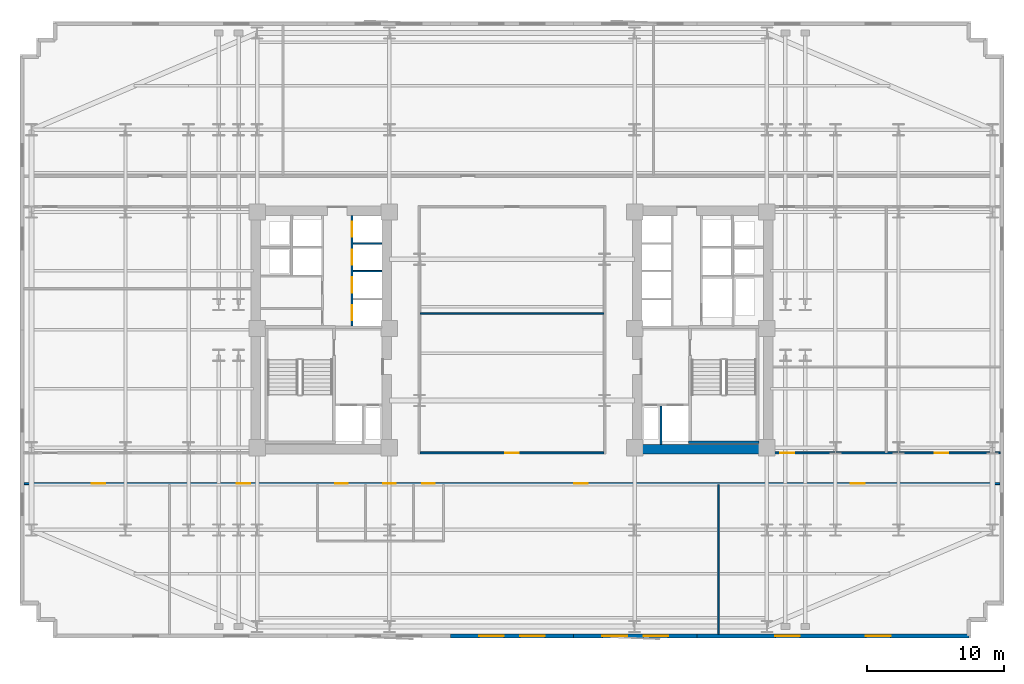
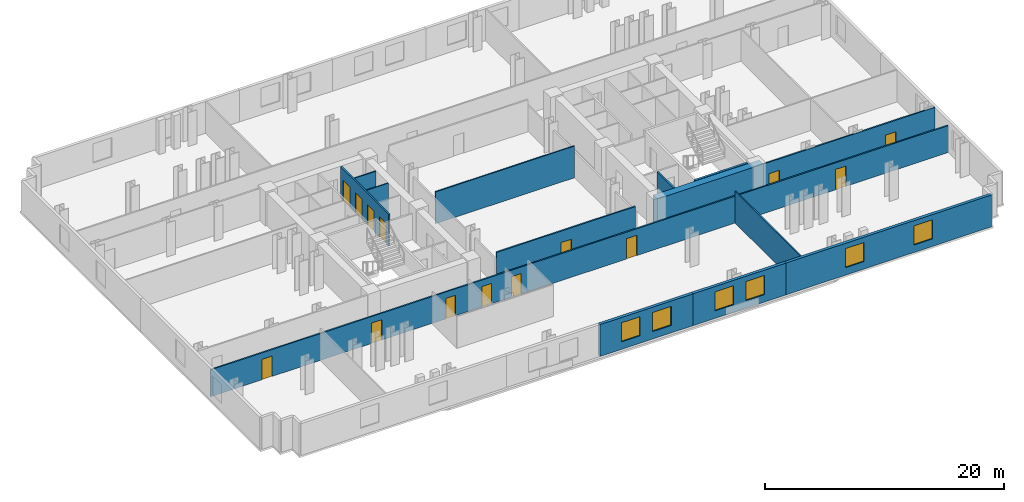
# One storey, part 5 of 10: 14 doors, 14 walls, 6 windows, 20 openings.
"""IFC4 building model written with IfcOpenShell, lengths in metres."""

from ifc_helpers import new_model, si_unit, direction, frame, frame_2d, origin, place, context, subcontext, project, spatial, rectangle, extrude, material, layer, layer_set, type_object, element, fill, save


model = new_model("IFC4")

# Units and contexts
model_context = context("Model", 3, precision=1e-05, world=origin(), true_north=direction((0.0, 1.0)))
body_context = subcontext(model_context, "Body", "Model", "MODEL_VIEW")
ifc_project = project(units=[si_unit("LENGTHUNIT", "METRE"), si_unit("AREAUNIT", "SQUARE_METRE"), si_unit("VOLUMEUNIT", "CUBIC_METRE"), si_unit("PLANEANGLEUNIT", "RADIAN"), si_unit("MASSUNIT", "GRAM", prefix="KILO")], contexts=[model_context])

# Site, building, storey
site_placement = place(None, origin())
site = spatial("IfcSite", under=ifc_project, at=site_placement, CompositionType="ELEMENT")
building_placement = place(site_placement, origin())
building = spatial("IfcBuilding", under=site, at=building_placement, Name="Velakula Bourse", CompositionType="ELEMENT")
storey_placement = place(building_placement, frame((0.0, 0.0, 38.10009765625)))
storey = spatial("IfcBuildingStorey", under=building, at=storey_placement, Name="L09", CompositionType="ELEMENT", Elevation=38.10009765625)

# Walls
ifc_material_1 = material(Name="Concrete M50 (fck 50 MPa)", Category="concrete")
ifc_layer_1 = layer(ifc_material_1, 0.2099609375, Name="Concrete M50 (fck 50 MPa)", Category="concrete")
ifc_layer_set_1 = layer_set([ifc_layer_1], Name="Concrete M50 (fck 50 MPa)")
wall_type_1 = type_object("IfcWallType", Name="WL-CORE-210", PredefinedType="SHEAR", material=ifc_layer_set_1)
wall_1_placement = place(storey_placement, frame((12.889892578125, -8.205078125, 0.0), z_axis=(0.0, 0.0, 1.0), x_axis=(1.0, 0.0, 0.0)))
element("IfcWall", 1, at=wall_1_placement, inside=storey, type_object=wall_type_1, Name="L09 Core E Stairwell Shear Wall S", PredefinedType="SHEAR", context=body_context, shape_type="SweptSolid", body=[
    extrude(rectangle(XDim=5.14013671875, YDim=0.2099609375, at=frame_2d((2.570068359375, 0.0))), origin(), (0.0, 0.0, 1.0), 3.27001953125),
])
ifc_material_2 = material(Name="Concrete M70 (fck 70 MPa)", Category="concrete")
ifc_layer_2 = layer(ifc_material_2, 0.699951171875, Name="Concrete M70 (fck 70 MPa)", Category="concrete")
ifc_layer_set_2 = layer_set([ifc_layer_2], Name="Concrete M70 (fck 70 MPa)")
wall_type_2 = type_object("IfcWallType", Name="WL-CORE-700", PredefinedType="SHEAR", material=ifc_layer_set_2)
wall_2_placement = place(storey_placement, frame((8.800048828125, -8.699951171875, 0.0), z_axis=(0.0, 0.0, 1.0), x_axis=(1.0, 0.0, 0.0)))
element("IfcWall", 2, at=wall_2_placement, inside=storey, type_object=wall_type_2, Name="L09 Core E Shear Wall S", PredefinedType="SHEAR", context=body_context, shape_type="SweptSolid", body=[
    extrude(rectangle(XDim=10.25, YDim=0.699951171875, at=frame_2d((5.125, 0.0))), origin(), (0.0, 0.0, 1.0), 3.27001953125),
])

# Wall, openings, windows
ifc_material_3 = material(Name="Red kilned clay facing brick masonry", Category="masonry")
ifc_layer_3 = layer(ifc_material_3, 0.280029296875, Name="Red kilned clay facing brick masonry", Category="masonry")
ifc_layer_set_3 = layer_set([ifc_layer_3], Name="Red kilned clay facing brick masonry")
wall_type_3 = type_object("IfcWallType", Name="WL-EXT-BRK-280", PredefinedType="STANDARD", material=ifc_layer_set_3)
wall_3_placement = place(storey_placement, frame((4.5, -22.340087890625, 0.0), z_axis=(0.0, 0.0, 1.0), x_axis=(-1.0, 0.0, 0.0)))
wall_3 = element("IfcWall", 3, at=wall_3_placement, inside=storey, type_object=wall_type_3, Name="L09 S Brick Spandrel Wall B3", PredefinedType="STANDARD", context=body_context, shape_type="SweptSolid", body=[
    extrude(rectangle(XDim=9.0, YDim=0.280029296875, at=frame_2d((4.5, 0.0))), origin(), (0.0, 0.0, 1.0), 3.25),
])
opening_1_placement = place(wall_3_placement, frame((2.10009765625, 0.0, 0.760009765625)))
opening_1 = element("IfcOpeningElement", 4, at=opening_1_placement, cuts=wall_3, Name="Opening W-01", PredefinedType="OPENING", context=body_context, shape_type="SweptSolid", body=[
    extrude(rectangle(XDim=1.800048828125, YDim=1.949951171875, at=frame_2d((0.89990234375, 0.97509765625))), frame((0.0, 0.14990234375, 0.0), z_axis=(0.0, -1.0, 0.0), x_axis=(1.0, 0.0, 0.0)), (0.0, 0.0, 1.0), 0.300048828125),
])
opening_2_placement = place(wall_3_placement, frame((5.10009765625, 0.0, 0.760009765625)))
opening_2 = element("IfcOpeningElement", 5, at=opening_2_placement, cuts=wall_3, Name="Opening W-01", PredefinedType="OPENING", context=body_context, shape_type="SweptSolid", body=[
    extrude(rectangle(XDim=1.800048828125, YDim=1.949951171875, at=frame_2d((0.89990234375, 0.97509765625))), frame((0.0, 0.14990234375, 0.0), z_axis=(0.0, -1.0, 0.0), x_axis=(1.0, 0.0, 0.0)), (0.0, 0.0, 1.0), 0.300048828125),
])
ifc_material_4 = material(Name="Double-glazed solar-control Low-E glass", Category="glass")
window_type = type_object("IfcWindowType", Name="WIN-TWR-1800x2100", PartitioningType="SINGLE_PANEL", PredefinedType="WINDOW", material=ifc_material_4)
window_1_placement = place(opening_1_placement, origin())
window_1 = element("IfcWindow", 6, at=window_1_placement, inside=storey, type_object=window_type, Name="L09 Deep-Set Recessed Window 1", OverallHeight=1.949951171875, OverallWidth=1.800048828125, PartitioningType="SINGLE_PANEL", PredefinedType="WINDOW", context=body_context, shape_type="SweptSolid", body=[
    extrude(rectangle(XDim=1.800048828125, YDim=1.949951171875, at=frame_2d((0.89990234375, 0.97509765625))), frame((0.0, 0.030029296875, 0.0), z_axis=(0.0, -1.0, 0.0), x_axis=(1.0, 0.0, 0.0)), (0.0, 0.0, 1.0), 0.06005859375),
])
fill(opening_1, window_1)
window_2_placement = place(opening_2_placement, origin())
window_2 = element("IfcWindow", 7, at=window_2_placement, inside=storey, type_object=window_type, Name="L09 Deep-Set Recessed Window 2", OverallHeight=1.949951171875, OverallWidth=1.800048828125, PartitioningType="SINGLE_PANEL", PredefinedType="WINDOW", context=body_context, shape_type="SweptSolid", body=[
    extrude(rectangle(XDim=1.800048828125, YDim=1.949951171875, at=frame_2d((0.89990234375, 0.97509765625))), frame((0.0, 0.030029296875, 0.0), z_axis=(0.0, -1.0, 0.0), x_axis=(1.0, 0.0, 0.0)), (0.0, 0.0, 1.0), 0.06005859375),
])
fill(opening_2, window_2)

wall_4_placement = place(storey_placement, frame((13.5, -22.340087890625, 0.0), z_axis=(0.0, 0.0, 1.0), x_axis=(-1.0, 0.0, 0.0)))
wall_4 = element("IfcWall", 8, at=wall_4_placement, inside=storey, type_object=wall_type_3, Name="L09 S Brick Spandrel Wall B4", PredefinedType="STANDARD", context=body_context, shape_type="SweptSolid", body=[
    extrude(rectangle(XDim=9.0, YDim=0.280029296875, at=frame_2d((4.5, 0.0))), origin(), (0.0, 0.0, 1.0), 3.25),
])
opening_3_placement = place(wall_4_placement, frame((2.10009765625, 0.0, 0.760009765625)))
opening_3 = element("IfcOpeningElement", 9, at=opening_3_placement, cuts=wall_4, Name="Opening W-01", PredefinedType="OPENING", context=body_context, shape_type="SweptSolid", body=[
    extrude(rectangle(XDim=1.800048828125, YDim=1.949951171875, at=frame_2d((0.89990234375, 0.97509765625))), frame((0.0, 0.14990234375, 0.0), z_axis=(0.0, -1.0, 0.0), x_axis=(1.0, 0.0, 0.0)), (0.0, 0.0, 1.0), 0.300048828125),
])
opening_4_placement = place(wall_4_placement, frame((5.10009765625, 0.0, 0.760009765625)))
opening_4 = element("IfcOpeningElement", 10, at=opening_4_placement, cuts=wall_4, Name="Opening W-01", PredefinedType="OPENING", context=body_context, shape_type="SweptSolid", body=[
    extrude(rectangle(XDim=1.800048828125, YDim=1.949951171875, at=frame_2d((0.89990234375, 0.97509765625))), frame((0.0, 0.14990234375, 0.0), z_axis=(0.0, -1.0, 0.0), x_axis=(1.0, 0.0, 0.0)), (0.0, 0.0, 1.0), 0.300048828125),
])
window_3_placement = place(opening_3_placement, origin())
window_3 = element("IfcWindow", 11, at=window_3_placement, inside=storey, type_object=window_type, Name="L09 Deep-Set Recessed Window 1", OverallHeight=1.949951171875, OverallWidth=1.800048828125, PartitioningType="SINGLE_PANEL", PredefinedType="WINDOW", context=body_context, shape_type="SweptSolid", body=[
    extrude(rectangle(XDim=1.800048828125, YDim=1.949951171875, at=frame_2d((0.89990234375, 0.97509765625))), frame((0.0, 0.030029296875, 0.0), z_axis=(0.0, -1.0, 0.0), x_axis=(1.0, 0.0, 0.0)), (0.0, 0.0, 1.0), 0.06005859375),
])
fill(opening_3, window_3)
window_4_placement = place(opening_4_placement, origin())
window_4 = element("IfcWindow", 12, at=window_4_placement, inside=storey, type_object=window_type, Name="L09 Deep-Set Recessed Window 2", OverallHeight=1.949951171875, OverallWidth=1.800048828125, PartitioningType="SINGLE_PANEL", PredefinedType="WINDOW", context=body_context, shape_type="SweptSolid", body=[
    extrude(rectangle(XDim=1.800048828125, YDim=1.949951171875, at=frame_2d((0.89990234375, 0.97509765625))), frame((0.0, 0.030029296875, 0.0), z_axis=(0.0, -1.0, 0.0), x_axis=(1.0, 0.0, 0.0)), (0.0, 0.0, 1.0), 0.06005859375),
])
fill(opening_4, window_4)

wall_5_placement = place(storey_placement, frame((33.340087890625, -22.340087890625, 0.0), z_axis=(0.0, 0.0, 1.0), x_axis=(-1.0, 0.0, 0.0)))
wall_5 = element("IfcWall", 13, at=wall_5_placement, inside=storey, type_object=wall_type_3, Name="L09 S Brick Spandrel Wall B5", PredefinedType="STANDARD", context=body_context, shape_type="SweptSolid", body=[
    extrude(rectangle(XDim=19.840087890625, YDim=0.280029296875, at=frame_2d((9.919921875, 0.0))), origin(), (0.0, 0.0, 1.0), 3.25),
])
opening_5_placement = place(wall_5_placement, frame((5.71337890625, 0.0, 0.760009765625)))
opening_5 = element("IfcOpeningElement", 14, at=opening_5_placement, cuts=wall_5, Name="Opening W-01", PredefinedType="OPENING", context=body_context, shape_type="SweptSolid", body=[
    extrude(rectangle(XDim=1.800048828125, YDim=1.949951171875, at=frame_2d((0.89990234375, 0.97509765625))), frame((0.0, 0.14990234375, 0.0), z_axis=(0.0, -1.0, 0.0), x_axis=(1.0, 0.0, 0.0)), (0.0, 0.0, 1.0), 0.300048828125),
])
opening_6_placement = place(wall_5_placement, frame((12.32666015625, 0.0, 0.760009765625)))
opening_6 = element("IfcOpeningElement", 15, at=opening_6_placement, cuts=wall_5, Name="Opening W-01", PredefinedType="OPENING", context=body_context, shape_type="SweptSolid", body=[
    extrude(rectangle(XDim=1.800048828125, YDim=1.949951171875, at=frame_2d((0.89990234375, 0.97509765625))), frame((0.0, 0.14990234375, 0.0), z_axis=(0.0, -1.0, 0.0), x_axis=(1.0, 0.0, 0.0)), (0.0, 0.0, 1.0), 0.300048828125),
])
window_5_placement = place(opening_5_placement, origin())
window_5 = element("IfcWindow", 16, at=window_5_placement, inside=storey, type_object=window_type, Name="L09 Deep-Set Recessed Window 1", OverallHeight=1.949951171875, OverallWidth=1.800048828125, PartitioningType="SINGLE_PANEL", PredefinedType="WINDOW", context=body_context, shape_type="SweptSolid", body=[
    extrude(rectangle(XDim=1.800048828125, YDim=1.949951171875, at=frame_2d((0.89990234375, 0.97509765625))), frame((0.0, 0.030029296875, 0.0), z_axis=(0.0, -1.0, 0.0), x_axis=(1.0, 0.0, 0.0)), (0.0, 0.0, 1.0), 0.06005859375),
])
fill(opening_5, window_5)
window_6_placement = place(opening_6_placement, origin())
window_6 = element("IfcWindow", 17, at=window_6_placement, inside=storey, type_object=window_type, Name="L09 Deep-Set Recessed Window 2", OverallHeight=1.949951171875, OverallWidth=1.800048828125, PartitioningType="SINGLE_PANEL", PredefinedType="WINDOW", context=body_context, shape_type="SweptSolid", body=[
    extrude(rectangle(XDim=1.800048828125, YDim=1.949951171875, at=frame_2d((0.89990234375, 0.97509765625))), frame((0.0, 0.030029296875, 0.0), z_axis=(0.0, -1.0, 0.0), x_axis=(1.0, 0.0, 0.0)), (0.0, 0.0, 1.0), 0.06005859375),
])
fill(opening_6, window_6)

# Walls
ifc_material_5 = material(Name="Fire-rated double-layer gypsum drywall partition", Category="gypsum")
ifc_layer_4 = layer(ifc_material_5, 0.1201171875, Name="Fire-rated double-layer gypsum drywall partition", Category="gypsum")
ifc_layer_set_4 = layer_set([ifc_layer_4], Name="Fire-rated double-layer gypsum drywall partition")
wall_type_4 = type_object("IfcWallType", Name="WL-PART-120", PredefinedType="STANDARD", material=ifc_layer_set_4)
for number, where, z_axis, x_axis, name in (
    (18, (-11.60009765625, 4.284912109375, 0.0), (0.0, 0.0, 1.0), (1.0, 0.0, 0.0), "L09 Interior Partition WL-CRW-L09-BDIV-1"),
    (19, (-11.60009765625, 6.31494140625, 0.0), (0.0, 0.0, 1.0), (1.0, 0.0, 0.0), "L09 Interior Partition WL-CRW-L09-BDIV-2"),
):
    element("IfcWall", number, at=place(storey_placement, frame(where, z_axis=z_axis, x_axis=x_axis)), inside=storey, type_object=wall_type_4, Name=name, PredefinedType="STANDARD", context=body_context, shape_type="SweptSolid", body=[
        extrude(rectangle(XDim=2.10009765625, YDim=0.110107421875, at=frame_2d((1.050048828125, 0.0))), origin(), (0.0, 0.0, 1.0), 3.25),
    ])
wall_6_placement = place(storey_placement, frame((15.076904296875, -22.219970703125, 0.0), z_axis=(0.0, 0.0, 1.0), x_axis=(0.0, 1.0, 0.0)))
element("IfcWall", 20, at=wall_6_placement, inside=storey, type_object=wall_type_4, Name="L09 Interior Partition WL-INT-L09-SR-D6", PredefinedType="STANDARD", context=body_context, shape_type="SweptSolid", body=[
    extrude(rectangle(XDim=10.929931640625, YDim=0.1201171875, at=frame_2d((5.46484375, 0.0))), origin(), (0.0, 0.0, 1.0), 3.25),
])

# Wall, openings, doors
ifc_layer_5 = layer(ifc_material_5, 0.139892578125, Name="Fire-rated double-layer gypsum drywall partition", Category="gypsum")
ifc_layer_set_5 = layer_set([ifc_layer_5], Name="Fire-rated double-layer gypsum drywall partition")
wall_type_5 = type_object("IfcWallType", Name="WL-PART-140", PredefinedType="STANDARD", material=ifc_layer_set_5)
wall_7_placement = place(storey_placement, frame((-35.6201171875, -11.219970703125, 0.0), z_axis=(0.0, 0.0, 1.0), x_axis=(1.0, 0.0, 0.0)))
wall_7 = element("IfcWall", 21, at=wall_7_placement, inside=storey, type_object=wall_type_5, Name="L09 Interior Partition WL-INT-L09-S-CORR", PredefinedType="STANDARD", context=body_context, shape_type="SweptSolid", body=[
    extrude(rectangle(XDim=71.240234375, YDim=0.139892578125, at=frame_2d((35.6201171875, 0.0))), origin(), (0.0, 0.0, 1.0), 2.744873046875),
])
opening_7_placement = place(wall_7_placement, frame((22.7099609375, 0.0, 0.0)))
opening_7 = element("IfcOpeningElement", 22, at=opening_7_placement, cuts=wall_7, Name="Opening D-WT1", PredefinedType="OPENING", context=body_context, shape_type="SweptSolid", body=[
    extrude(rectangle(XDim=0.919921875, YDim=2.080078125, at=frame_2d((0.4599609375, 1.0400390625))), frame((0.0, 0.079833984375, 0.0), z_axis=(0.0, -1.0, 0.0), x_axis=(1.0, 0.0, 0.0)), (0.0, 0.0, 1.0), 0.159912109375),
])
opening_8_placement = place(wall_7_placement, frame((26.2099609375, 0.0, 0.0)))
opening_8 = element("IfcOpeningElement", 23, at=opening_8_placement, cuts=wall_7, Name="Opening D-WT1", PredefinedType="OPENING", context=body_context, shape_type="SweptSolid", body=[
    extrude(rectangle(XDim=0.919921875, YDim=2.080078125, at=frame_2d((0.4599609375, 1.0400390625))), frame((0.0, 0.079833984375, 0.0), z_axis=(0.0, -1.0, 0.0), x_axis=(1.0, 0.0, 0.0)), (0.0, 0.0, 1.0), 0.159912109375),
])
opening_9_placement = place(wall_7_placement, frame((29.06005859375, 0.0, 0.0)))
opening_9 = element("IfcOpeningElement", 24, at=opening_9_placement, cuts=wall_7, Name="Opening D-WC1", PredefinedType="OPENING", context=body_context, shape_type="SweptSolid", body=[
    extrude(rectangle(XDim=0.919921875, YDim=2.080078125, at=frame_2d((0.4599609375, 1.0400390625))), frame((0.0, 0.079833984375, 0.0), z_axis=(0.0, -1.0, 0.0), x_axis=(1.0, 0.0, 0.0)), (0.0, 0.0, 1.0), 0.159912109375),
])
opening_10_placement = place(wall_7_placement, frame((4.9423828125, 0.0, 0.0)))
opening_10 = element("IfcOpeningElement", 25, at=opening_10_placement, cuts=wall_7, Name="Opening D-OF1", PredefinedType="OPENING", context=body_context, shape_type="SweptSolid", body=[
    extrude(rectangle(XDim=1.0, YDim=2.080078125, at=frame_2d((0.5, 1.0400390625))), frame((0.0, 0.079833984375, 0.0), z_axis=(0.0, -1.0, 0.0), x_axis=(1.0, 0.0, 0.0)), (0.0, 0.0, 1.0), 0.159912109375),
])
opening_11_placement = place(wall_7_placement, frame((15.526611328125, 0.0, 0.0)))
opening_11 = element("IfcOpeningElement", 26, at=opening_11_placement, cuts=wall_7, Name="Opening D-OF1", PredefinedType="OPENING", context=body_context, shape_type="SweptSolid", body=[
    extrude(rectangle(XDim=1.0, YDim=2.080078125, at=frame_2d((0.5, 1.0400390625))), frame((0.0, 0.079833984375, 0.0), z_axis=(0.0, -1.0, 0.0), x_axis=(1.0, 0.0, 0.0)), (0.0, 0.0, 1.0), 0.159912109375),
])
opening_12_placement = place(wall_7_placement, frame((40.158447265625, 0.0, 0.0)))
opening_12 = element("IfcOpeningElement", 27, at=opening_12_placement, cuts=wall_7, Name="Opening D-OF1", PredefinedType="OPENING", context=body_context, shape_type="SweptSolid", body=[
    extrude(rectangle(XDim=1.0, YDim=2.080078125, at=frame_2d((0.5, 1.0400390625))), frame((0.0, 0.079833984375, 0.0), z_axis=(0.0, -1.0, 0.0), x_axis=(1.0, 0.0, 0.0)), (0.0, 0.0, 1.0), 0.159912109375),
])
opening_13_placement = place(wall_7_placement, frame((60.342529296875, 0.0, 0.0)))
opening_13 = element("IfcOpeningElement", 28, at=opening_13_placement, cuts=wall_7, Name="Opening D-OF1", PredefinedType="OPENING", context=body_context, shape_type="SweptSolid", body=[
    extrude(rectangle(XDim=1.0, YDim=2.080078125, at=frame_2d((0.5, 1.0400390625))), frame((0.0, 0.079833984375, 0.0), z_axis=(0.0, -1.0, 0.0), x_axis=(1.0, 0.0, 0.0)), (0.0, 0.0, 1.0), 0.159912109375),
])
ifc_material_6 = material(Name="Fire-rated hardwood flush architectural door", Category="wood")
door_type_1 = type_object("IfcDoorType", Name="DR-OFF-1000", OperationType="NOTDEFINED", PredefinedType="DOOR", material=ifc_material_6)
door_1_placement = place(opening_10_placement, origin())
door_1 = element("IfcDoor", 29, at=door_1_placement, inside=storey, type_object=door_type_1, Name="L09 Quiet Financial Library Door", OperationType="SINGLE_SWING_LEFT", OverallHeight=2.080078125, OverallWidth=1.0, PredefinedType="DOOR", context=body_context, shape_type="SweptSolid", body=[
    extrude(rectangle(XDim=1.0, YDim=2.080078125, at=frame_2d((0.5, 1.0400390625))), frame((0.0, 0.02490234375, 0.0), z_axis=(0.0, -1.0, 0.0), x_axis=(1.0, 0.0, 0.0)), (0.0, 0.0, 1.0), 0.050048828125),
])
fill(opening_10, door_1)
door_2_placement = place(opening_11_placement, origin())
door_2 = element("IfcDoor", 30, at=door_2_placement, inside=storey, type_object=door_type_1, Name="L09 Margin Control Office Door", OperationType="SINGLE_SWING_RIGHT", OverallHeight=2.080078125, OverallWidth=1.0, PredefinedType="DOOR", context=body_context, shape_type="SweptSolid", body=[
    extrude(rectangle(XDim=1.0, YDim=2.080078125, at=frame_2d((0.5, 1.0400390625))), frame((0.0, 0.02490234375, 0.0), z_axis=(0.0, -1.0, 0.0), x_axis=(1.0, 0.0, 0.0)), (0.0, 0.0, 1.0), 0.050048828125),
])
fill(opening_11, door_2)
door_3_placement = place(opening_12_placement, origin())
door_3 = element("IfcDoor", 31, at=door_3_placement, inside=storey, type_object=door_type_1, Name="L09 Risk Review Boardroom Door", OperationType="SINGLE_SWING_LEFT", OverallHeight=2.080078125, OverallWidth=1.0, PredefinedType="DOOR", context=body_context, shape_type="SweptSolid", body=[
    extrude(rectangle(XDim=1.0, YDim=2.080078125, at=frame_2d((0.5, 1.0400390625))), frame((0.0, 0.02490234375, 0.0), z_axis=(0.0, -1.0, 0.0), x_axis=(1.0, 0.0, 0.0)), (0.0, 0.0, 1.0), 0.050048828125),
])
fill(opening_12, door_3)
door_4_placement = place(opening_13_placement, origin())
door_4 = element("IfcDoor", 32, at=door_4_placement, inside=storey, type_object=door_type_1, Name="L09 Catering Servery Pantry Door", OperationType="SINGLE_SWING_RIGHT", OverallHeight=2.080078125, OverallWidth=1.0, PredefinedType="DOOR", context=body_context, shape_type="SweptSolid", body=[
    extrude(rectangle(XDim=1.0, YDim=2.080078125, at=frame_2d((0.5, 1.0400390625))), frame((0.0, 0.02490234375, 0.0), z_axis=(0.0, -1.0, 0.0), x_axis=(1.0, 0.0, 0.0)), (0.0, 0.0, 1.0), 0.050048828125),
])
fill(opening_13, door_4)
door_type_2 = type_object("IfcDoorType", Name="DR-WC-950", OperationType="NOTDEFINED", PredefinedType="DOOR", material=ifc_material_6)
door_5_placement = place(opening_7_placement, origin())
door_5 = element("IfcDoor", 33, at=door_5_placement, inside=storey, type_object=door_type_2, Name="L09 Male Staff Toilet Door", OperationType="SINGLE_SWING_RIGHT", OverallHeight=2.080078125, OverallWidth=0.919921875, PredefinedType="DOOR", context=body_context, shape_type="SweptSolid", body=[
    extrude(rectangle(XDim=0.919921875, YDim=2.080078125, at=frame_2d((0.4599609375, 1.0400390625))), frame((0.0, 0.02490234375, 0.0), z_axis=(0.0, -1.0, 0.0), x_axis=(1.0, 0.0, 0.0)), (0.0, 0.0, 1.0), 0.050048828125),
])
fill(opening_7, door_5)
door_6_placement = place(opening_8_placement, origin())
door_6 = element("IfcDoor", 34, at=door_6_placement, inside=storey, type_object=door_type_2, Name="L09 Female Staff Toilet Door", OperationType="SINGLE_SWING_LEFT", OverallHeight=2.080078125, OverallWidth=0.919921875, PredefinedType="DOOR", context=body_context, shape_type="SweptSolid", body=[
    extrude(rectangle(XDim=0.919921875, YDim=2.080078125, at=frame_2d((0.4599609375, 1.0400390625))), frame((0.0, 0.02490234375, 0.0), z_axis=(0.0, -1.0, 0.0), x_axis=(1.0, 0.0, 0.0)), (0.0, 0.0, 1.0), 0.050048828125),
])
fill(opening_8, door_6)
door_7_placement = place(opening_9_placement, origin())
door_7 = element("IfcDoor", 35, at=door_7_placement, inside=storey, type_object=door_type_2, Name="L09 Accessible WC Door", OperationType="SINGLE_SWING_RIGHT", OverallHeight=2.080078125, OverallWidth=0.919921875, PredefinedType="DOOR", context=body_context, shape_type="SweptSolid", body=[
    extrude(rectangle(XDim=0.919921875, YDim=2.080078125, at=frame_2d((0.4599609375, 1.0400390625))), frame((0.0, 0.02490234375, 0.0), z_axis=(0.0, -1.0, 0.0), x_axis=(1.0, 0.0, 0.0)), (0.0, 0.0, 1.0), 0.050048828125),
])
fill(opening_9, door_7)

wall_8_placement = place(storey_placement, frame((19.050048828125, -8.97998046875, 0.0), z_axis=(0.0, 0.0, 1.0), x_axis=(1.0, 0.0, 0.0)))
wall_8 = element("IfcWall", 36, at=wall_8_placement, inside=storey, type_object=wall_type_5, Name="L09 Interior Partition WL-INT-L09-E-SC", PredefinedType="STANDARD", context=body_context, shape_type="SweptSolid", body=[
    extrude(rectangle(XDim=16.570068359375, YDim=0.139892578125, at=frame_2d((8.28515625, 0.0))), origin(), (0.0, 0.0, 1.0), 3.25),
])
opening_14_placement = place(wall_8_placement, frame((0.534912109375, 0.0, 0.0)))
opening_14 = element("IfcOpeningElement", 37, at=opening_14_placement, cuts=wall_8, Name="Opening D-OF1", PredefinedType="OPENING", context=body_context, shape_type="SweptSolid", body=[
    extrude(rectangle(XDim=1.0, YDim=2.080078125, at=frame_2d((0.5, 1.0400390625))), frame((0.0, 0.079833984375, 0.0), z_axis=(0.0, -1.0, 0.0), x_axis=(1.0, 0.0, 0.0)), (0.0, 0.0, 1.0), 0.159912109375),
])
opening_15_placement = place(wall_8_placement, frame((11.782470703125, 0.0, 0.0)))
opening_15 = element("IfcOpeningElement", 38, at=opening_15_placement, cuts=wall_8, Name="Opening D-OF1", PredefinedType="OPENING", context=body_context, shape_type="SweptSolid", body=[
    extrude(rectangle(XDim=1.0, YDim=2.080078125, at=frame_2d((0.5, 1.0400390625))), frame((0.0, 0.079833984375, 0.0), z_axis=(0.0, -1.0, 0.0), x_axis=(1.0, 0.0, 0.0)), (0.0, 0.0, 1.0), 0.159912109375),
])
door_8_placement = place(opening_14_placement, origin())
door_8 = element("IfcDoor", 39, at=door_8_placement, inside=storey, type_object=door_type_1, Name="L09 Legal Counsel Office Door", OperationType="SINGLE_SWING_LEFT", OverallHeight=2.080078125, OverallWidth=1.0, PredefinedType="DOOR", context=body_context, shape_type="SweptSolid", body=[
    extrude(rectangle(XDim=1.0, YDim=2.080078125, at=frame_2d((0.5, 1.0400390625))), frame((0.0, 0.02490234375, 0.0), z_axis=(0.0, -1.0, 0.0), x_axis=(1.0, 0.0, 0.0)), (0.0, 0.0, 1.0), 0.050048828125),
])
fill(opening_14, door_8)
door_9_placement = place(opening_15_placement, origin())
door_9 = element("IfcDoor", 40, at=door_9_placement, inside=storey, type_object=door_type_1, Name="L09 Listing Committee Chamber Door", OperationType="SINGLE_SWING_RIGHT", OverallHeight=2.080078125, OverallWidth=1.0, PredefinedType="DOOR", context=body_context, shape_type="SweptSolid", body=[
    extrude(rectangle(XDim=1.0, YDim=2.080078125, at=frame_2d((0.5, 1.0400390625))), frame((0.0, 0.02490234375, 0.0), z_axis=(0.0, -1.0, 0.0), x_axis=(1.0, 0.0, 0.0)), (0.0, 0.0, 1.0), 0.050048828125),
])
fill(opening_15, door_9)

# Wall, opening, door
wall_9_placement = place(storey_placement, frame((-6.7099609375, -8.97998046875, 0.0), z_axis=(0.0, 0.0, 1.0), x_axis=(1.0, 0.0, 0.0)))
wall_9 = element("IfcWall", 41, at=wall_9_placement, inside=storey, type_object=wall_type_5, Name="L09 Interior Partition WL-INT-L09-MID-S", PredefinedType="STANDARD", context=body_context, shape_type="SweptSolid", body=[
    extrude(rectangle(XDim=13.419921875, YDim=0.139892578125, at=frame_2d((6.7099609375, 0.0))), origin(), (0.0, 0.0, 1.0), 3.25),
])
opening_16_placement = place(wall_9_placement, frame((6.2099609375, 0.0, 0.0)))
opening_16 = element("IfcOpeningElement", 42, at=opening_16_placement, cuts=wall_9, Name="Opening D-OF1", PredefinedType="OPENING", context=body_context, shape_type="SweptSolid", body=[
    extrude(rectangle(XDim=1.0, YDim=2.080078125, at=frame_2d((0.5, 1.0400390625))), frame((0.0, 0.079833984375, 0.0), z_axis=(0.0, -1.0, 0.0), x_axis=(1.0, 0.0, 0.0)), (0.0, 0.0, 1.0), 0.159912109375),
])
door_10_placement = place(opening_16_placement, origin())
door_10 = element("IfcDoor", 43, at=door_10_placement, inside=storey, type_object=door_type_1, Name="L09 Central Dealing Chamber South Door", OperationType="SINGLE_SWING_LEFT", OverallHeight=2.080078125, OverallWidth=1.0, PredefinedType="DOOR", context=body_context, shape_type="SweptSolid", body=[
    extrude(rectangle(XDim=1.0, YDim=2.080078125, at=frame_2d((0.5, 1.0400390625))), frame((0.0, 0.02490234375, 0.0), z_axis=(0.0, -1.0, 0.0), x_axis=(1.0, 0.0, 0.0)), (0.0, 0.0, 1.0), 0.050048828125),
])
fill(opening_16, door_10)

# Wall
wall_10_placement = place(storey_placement, frame((-6.7099609375, 1.199951171875, 0.0), z_axis=(0.0, 0.0, 1.0), x_axis=(1.0, 0.0, 0.0)))
element("IfcWall", 44, at=wall_10_placement, inside=storey, type_object=wall_type_5, Name="L09 Interior Partition WL-INT-L09-MDY", PredefinedType="STANDARD", context=body_context, shape_type="SweptSolid", body=[
    extrude(rectangle(XDim=13.419921875, YDim=0.1201171875, at=frame_2d((6.7099609375, 0.0))), origin(), (0.0, 0.0, 1.0), 3.25),
])

# Wall, openings, doors
ifc_material_7 = material(Name="Autoclaved aerated concrete blockwork masonry", Category="masonry")
ifc_layer_6 = layer(ifc_material_7, 0.14990234375, Name="Autoclaved aerated concrete blockwork masonry", Category="masonry")
ifc_layer_set_6 = layer_set([ifc_layer_6], Name="Autoclaved aerated concrete blockwork masonry")
wall_type_6 = type_object("IfcWallType", Name="WL-SHAFT-150", PredefinedType="STANDARD", material=ifc_layer_set_6)
wall_11_placement = place(storey_placement, frame((-11.675048828125, 0.27001953125, 0.0), z_axis=(0.0, 0.0, 1.0), x_axis=(0.0, 1.0, 0.0)))
wall_11 = element("IfcWall", 45, at=wall_11_placement, inside=storey, type_object=wall_type_6, Name="L09 Interior Partition WL-CRW-L09-BANK-F", PredefinedType="STANDARD", context=body_context, shape_type="SweptSolid", body=[
    extrude(rectangle(XDim=8.080078125, YDim=0.14990234375, at=frame_2d((4.0400390625, 0.0))), origin(), (0.0, 0.0, 1.0), 3.25),
])
opening_17_placement = place(wall_11_placement, frame((0.419921875, 0.0, 0.0)))
opening_17 = element("IfcOpeningElement", 46, at=opening_17_placement, cuts=wall_11, Name="Opening LD-P1", PredefinedType="OPENING", context=body_context, shape_type="SweptSolid", body=[
    extrude(rectangle(XDim=1.10009765625, YDim=2.10009765625, at=frame_2d((0.550048828125, 1.050048828125))), frame((0.0, 0.0849609375, 0.0), z_axis=(0.0, -1.0, 0.0), x_axis=(1.0, 0.0, 0.0)), (0.0, 0.0, 1.0), 0.169921875),
])
opening_18_placement = place(wall_11_placement, frame((2.449951171875, 0.0, 0.0)))
opening_18 = element("IfcOpeningElement", 47, at=opening_18_placement, cuts=wall_11, Name="Opening LD-P2", PredefinedType="OPENING", context=body_context, shape_type="SweptSolid", body=[
    extrude(rectangle(XDim=1.10009765625, YDim=2.10009765625, at=frame_2d((0.550048828125, 1.050048828125))), frame((0.0, 0.0849609375, 0.0), z_axis=(0.0, -1.0, 0.0), x_axis=(1.0, 0.0, 0.0)), (0.0, 0.0, 1.0), 0.169921875),
])
opening_19_placement = place(wall_11_placement, frame((4.47998046875, 0.0, 0.0)))
opening_19 = element("IfcOpeningElement", 48, at=opening_19_placement, cuts=wall_11, Name="Opening LD-P3", PredefinedType="OPENING", context=body_context, shape_type="SweptSolid", body=[
    extrude(rectangle(XDim=1.10009765625, YDim=2.10009765625, at=frame_2d((0.550048828125, 1.050048828125))), frame((0.0, 0.0849609375, 0.0), z_axis=(0.0, -1.0, 0.0), x_axis=(1.0, 0.0, 0.0)), (0.0, 0.0, 1.0), 0.169921875),
])
opening_20_placement = place(wall_11_placement, frame((6.510009765625, 0.0, 0.0)))
opening_20 = element("IfcOpeningElement", 49, at=opening_20_placement, cuts=wall_11, Name="Opening LD-P4", PredefinedType="OPENING", context=body_context, shape_type="SweptSolid", body=[
    extrude(rectangle(XDim=1.10009765625, YDim=2.10009765625, at=frame_2d((0.550048828125, 1.050048828125))), frame((0.0, 0.0849609375, 0.0), z_axis=(0.0, -1.0, 0.0), x_axis=(1.0, 0.0, 0.0)), (0.0, 0.0, 1.0), 0.169921875),
])
ifc_material_8 = material(Name="Brushed grade 316 stainless steel", Category="steel")
door_type_3 = type_object("IfcDoorType", Name="DR-SLIDE-LD-1100", OperationType="DOUBLE_DOOR_SLIDING", PredefinedType="DOOR", material=ifc_material_8)
door_11_placement = place(opening_17_placement, origin())
door_11 = element("IfcDoor", 50, at=door_11_placement, inside=storey, type_object=door_type_3, Name="L09 Passenger Lift P1 Sliding Landing Door", OperationType="DOUBLE_DOOR_SLIDING", OverallHeight=2.10009765625, OverallWidth=1.10009765625, PredefinedType="DOOR", context=body_context, shape_type="SweptSolid", body=[
    extrude(rectangle(XDim=1.10009765625, YDim=2.10009765625, at=frame_2d((0.550048828125, 1.050048828125))), frame((0.0, 0.02490234375, 0.0), z_axis=(0.0, -1.0, 0.0), x_axis=(1.0, 0.0, 0.0)), (0.0, 0.0, 1.0), 0.050048828125),
])
fill(opening_17, door_11)
door_12_placement = place(opening_18_placement, origin())
door_12 = element("IfcDoor", 51, at=door_12_placement, inside=storey, type_object=door_type_3, Name="L09 Passenger Lift P2 Sliding Landing Door", OperationType="DOUBLE_DOOR_SLIDING", OverallHeight=2.10009765625, OverallWidth=1.10009765625, PredefinedType="DOOR", context=body_context, shape_type="SweptSolid", body=[
    extrude(rectangle(XDim=1.10009765625, YDim=2.10009765625, at=frame_2d((0.550048828125, 1.050048828125))), frame((0.0, 0.02490234375, 0.0), z_axis=(0.0, -1.0, 0.0), x_axis=(1.0, 0.0, 0.0)), (0.0, 0.0, 1.0), 0.050048828125),
])
fill(opening_18, door_12)
door_13_placement = place(opening_19_placement, origin())
door_13 = element("IfcDoor", 52, at=door_13_placement, inside=storey, type_object=door_type_3, Name="L09 Passenger Lift P3 Sliding Landing Door", OperationType="DOUBLE_DOOR_SLIDING", OverallHeight=2.10009765625, OverallWidth=1.10009765625, PredefinedType="DOOR", context=body_context, shape_type="SweptSolid", body=[
    extrude(rectangle(XDim=1.10009765625, YDim=2.10009765625, at=frame_2d((0.550048828125, 1.050048828125))), frame((0.0, 0.02490234375, 0.0), z_axis=(0.0, -1.0, 0.0), x_axis=(1.0, 0.0, 0.0)), (0.0, 0.0, 1.0), 0.050048828125),
])
fill(opening_19, door_13)
door_14_placement = place(opening_20_placement, origin())
door_14 = element("IfcDoor", 53, at=door_14_placement, inside=storey, type_object=door_type_3, Name="L09 Passenger Lift P4 Sliding Landing Door", OperationType="DOUBLE_DOOR_SLIDING", OverallHeight=2.10009765625, OverallWidth=1.10009765625, PredefinedType="DOOR", context=body_context, shape_type="SweptSolid", body=[
    extrude(rectangle(XDim=1.10009765625, YDim=2.10009765625, at=frame_2d((0.550048828125, 1.050048828125))), frame((0.0, 0.02490234375, 0.0), z_axis=(0.0, -1.0, 0.0), x_axis=(1.0, 0.0, 0.0)), (0.0, 0.0, 1.0), 0.050048828125),
])
fill(opening_20, door_14)

# Wall
wall_12_placement = place(storey_placement, frame((10.875, -8.35009765625, 0.0), z_axis=(0.0, 0.0, 1.0), x_axis=(0.0, 1.0, 0.0)))
element("IfcWall", 54, at=wall_12_placement, inside=storey, type_object=wall_type_6, Name="L09 Interior Partition WL-CRE-L09-FR-DIV", PredefinedType="STANDARD", context=body_context, shape_type="SweptSolid", body=[
    extrude(rectangle(XDim=2.800048828125, YDim=0.14990234375, at=frame_2d((1.39990234375, 0.0))), origin(), (0.0, 0.0, 1.0), 3.25),
])

save(model, "model.ifc")
